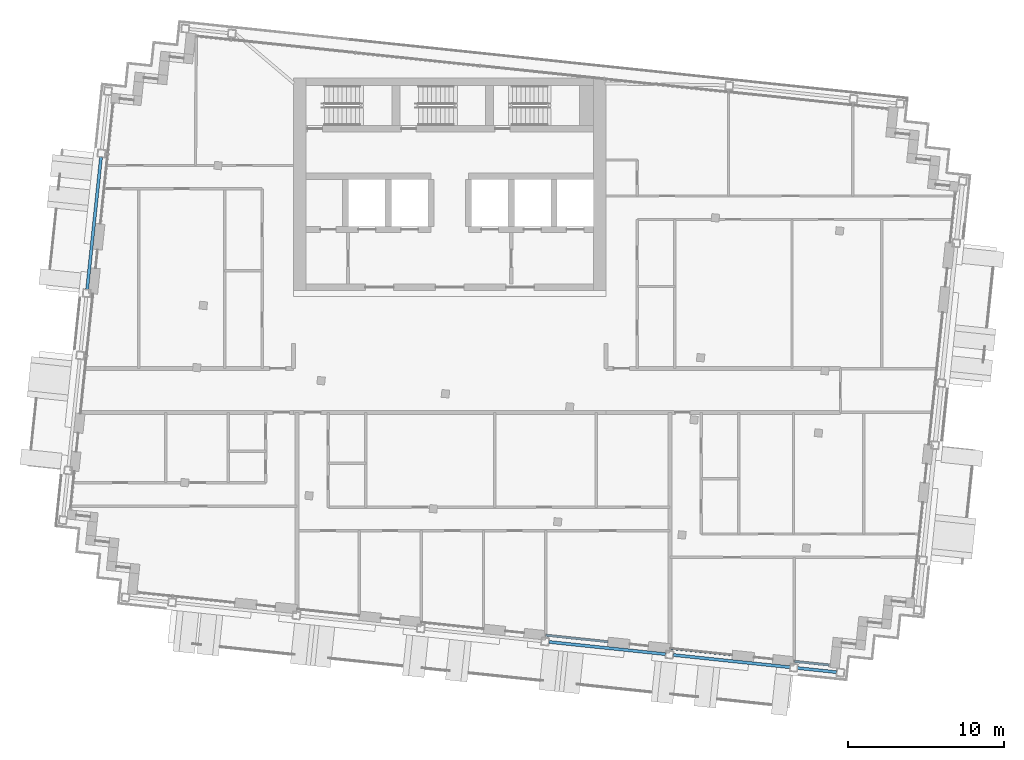
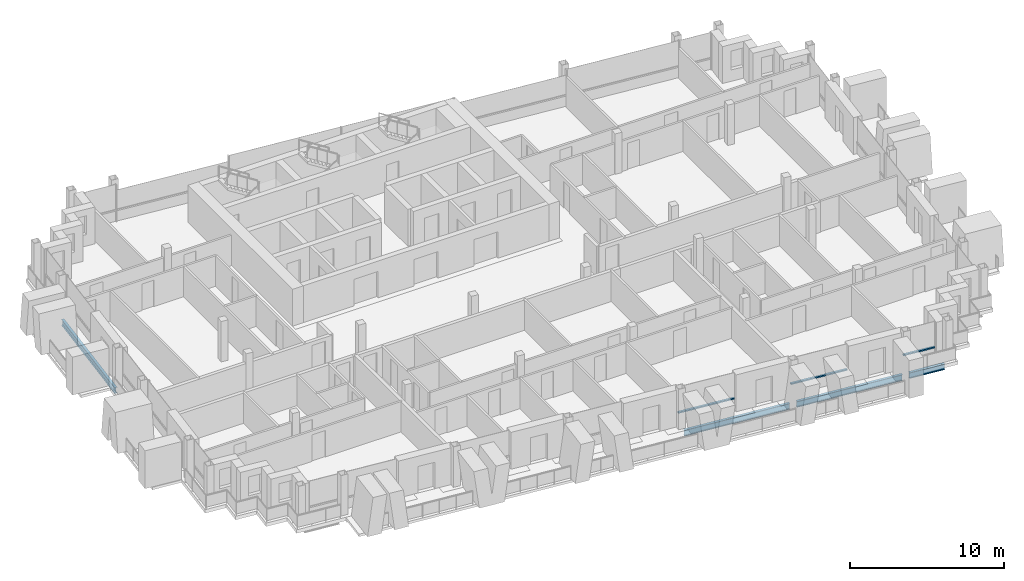
# One storey, part 3 of 16: 4 beams, 3 members, 3 elements without a shape of their own.
"""IFC4 building model written with IfcOpenShell, lengths in metres."""

from ifc_helpers import new_model, si_unit, direction, frame, origin, origin_2d, place, context, subcontext, project, spatial, rectangle, i_section, extrude, material, material_profile, profile_set, type_object, element, aggregate, save


model = new_model("IFC4")

# Units and contexts
model_context = context("Model", 3, precision=1e-05, world=origin(), true_north=direction((0.0, 1.0)))
body_context = subcontext(model_context, "Body", "Model", "MODEL_VIEW")
ifc_project = project(units=[si_unit("LENGTHUNIT", "METRE"), si_unit("AREAUNIT", "SQUARE_METRE"), si_unit("VOLUMEUNIT", "CUBIC_METRE"), si_unit("PLANEANGLEUNIT", "RADIAN"), si_unit("MASSUNIT", "GRAM", prefix="KILO")], contexts=[model_context])

# Site, building, storey
site_placement = place(None, origin())
site = spatial("IfcSite", under=ifc_project, at=site_placement, CompositionType="ELEMENT")
building_placement = place(site_placement, origin())
building = spatial("IfcBuilding", under=site, at=building_placement, Name="Vidyagriha Tower", CompositionType="ELEMENT")
storey_placement = place(building_placement, frame((0.0, 0.0, 256.300048828125)))
storey = spatial("IfcBuildingStorey", under=building, at=storey_placement, Name="L66", CompositionType="ELEMENT", Elevation=256.300048828125)

# Beams
ifc_material_1 = material(Name="Steel ASTM A992 Grade 50", Category="steel")
ifc_material_profile_1 = material_profile(ifc_material_1, i_section(OverallWidth=0.19189453125, OverallDepth=0.46240234375, WebThickness=0.010498046875, FlangeThickness=0.017578125, at=origin_2d()), Name="W18X60")
ifc_profile_set_1 = profile_set([ifc_material_profile_1], Name="Steel ASTM A992 Grade 50")
beam_type = type_object("IfcBeamType", Name="Edge beam W18X60", PredefinedType="SPANDREL", material=ifc_profile_set_1)
for number, where, z_axis, x_axis, name in (
    (1, (6.3486328125, -16.091064453125, -0.51123046875), (0.994522384662, -0.104523807841, 0.0), (0.104523807841, 0.994522384662, 0.0), "st-beam-L66-S05"),
    (2, (14.304931640625, -16.92724609375, -0.51123046875), (0.994522384662, -0.104523807841, 0.0), (0.104523807841, 0.994522384662, 0.0), "st-beam-L66-S06"),
):
    element("IfcBeam", number, at=place(storey_placement, frame(where, z_axis=z_axis, x_axis=x_axis)), inside=storey, type_object=beam_type, Name=name, PredefinedType="SPANDREL", context=body_context, shape_type="SweptSolid", body=[
        extrude(i_section(OverallWidth=0.19189453125, OverallDepth=0.46240234375, WebThickness=0.010498046875, FlangeThickness=0.017578125, at=origin_2d()), origin(), (0.0, 0.0, 1.0), 7.5),
    ])
beam_1_placement = place(storey_placement, frame((22.260986328125, -17.763427734375, -0.51123046875), z_axis=(0.994515615024, -0.104588199498, 0.0), x_axis=(0.104588199498, 0.994515615024, 0.0)))
element("IfcBeam", 3, at=beam_1_placement, inside=storey, type_object=beam_type, Name="st-beam-L66-S07", PredefinedType="SPANDREL", context=body_context, shape_type="SweptSolid", body=[
    extrude(i_section(OverallWidth=0.19189453125, OverallDepth=0.46240234375, WebThickness=0.010498046875, FlangeThickness=0.017578125, at=origin_2d()), origin(), (0.0, 0.0, 1.0), 2.5),
])
beam_2_placement = place(storey_placement, frame((-23.20458984375, 6.4716796875, -0.51123046875), z_axis=(0.104518825829, 0.994522908257, 0.0), x_axis=(-0.994522908257, 0.104518825829, 0.0)))
element("IfcBeam", 4, at=beam_2_placement, inside=storey, type_object=beam_type, Name="st-beam-L66-W11", PredefinedType="SPANDREL", context=body_context, shape_type="SweptSolid", body=[
    extrude(i_section(OverallWidth=0.19189453125, OverallDepth=0.46240234375, WebThickness=0.010498046875, FlangeThickness=0.017578125, at=origin_2d()), origin(), (0.0, 0.0, 1.0), 8.500244140625),
])

# Curtain wall, member
ifc_material_2 = material(Name="Aluminium and glass curtain wall", Category="aluminium")
curtain_wall_type = type_object("IfcCurtainWallType", Name="Dwelling skin unitised curtain wall", PredefinedType="USERDEFINED", material=ifc_material_2)
curtain_wall_1_placement = place(storey_placement, origin())
curtain_wall_1 = element("IfcCurtainWall", 5, at=curtain_wall_1_placement, inside=storey, type_object=curtain_wall_type, Name="CW1 dwelling skin", ObjectType="UNITISED", PredefinedType="USERDEFINED")
ifc_material_3 = material(Name="Aluminium black anodised", Category="aluminium")
ifc_material_profile_2 = material_profile(ifc_material_3, rectangle(XDim=0.159912109375, YDim=0.10009765625, at=origin_2d()), Name="Transom 100x160 black aluminium")
ifc_profile_set_2 = profile_set([ifc_material_profile_2], Name="Aluminium black anodised")
member_type = type_object("IfcMemberType", Name="Transom 100x160 black aluminium", PredefinedType="USERDEFINED", material=ifc_profile_set_2)
member_1_placement = place(storey_placement, frame((6.141845703125, -15.6669921875, 0.89990234375), z_axis=(0.99451982373, -0.104548171712, 0.0), x_axis=(0.104548171712, 0.99451982373, 0.0)))
member_1 = element("IfcMember", 6, at=member_1_placement, type_object=member_type, Name="CW1 transom 1.1", ObjectType="TRANSOM", PredefinedType="USERDEFINED", context=body_context, shape_type="SweptSolid", body=[
    extrude(rectangle(XDim=0.159912109375, YDim=0.10009765625, at=origin_2d()), origin(), (0.0, 0.0, 1.0), 4.000244140625),
])
aggregate(curtain_wall_1, [member_1])

curtain_wall_2_placement = place(storey_placement, origin())
curtain_wall_2 = element("IfcCurtainWall", 7, at=curtain_wall_2_placement, inside=storey, type_object=curtain_wall_type, Name="CW1 dwelling skin", ObjectType="UNITISED", PredefinedType="USERDEFINED")
member_2_placement = place(storey_placement, frame((14.09814453125, -16.50341796875, 0.89990234375), z_axis=(0.99452550138, -0.104494148666, 0.0), x_axis=(0.104494148666, 0.99452550138, 0.0)))
member_2 = element("IfcMember", 8, at=member_2_placement, type_object=member_type, Name="CW1 transom 1.1", ObjectType="TRANSOM", PredefinedType="USERDEFINED", context=body_context, shape_type="SweptSolid", body=[
    extrude(rectangle(XDim=0.159912109375, YDim=0.10009765625, at=origin_2d()), origin(), (0.0, 0.0, 1.0), 4.0),
])
aggregate(curtain_wall_2, [member_2])

curtain_wall_3_placement = place(storey_placement, origin())
curtain_wall_3 = element("IfcCurtainWall", 9, at=curtain_wall_3_placement, inside=storey, type_object=curtain_wall_type, Name="CW1 dwelling skin", ObjectType="UNITISED", PredefinedType="USERDEFINED")
member_3_placement = place(storey_placement, frame((22.05419921875, -17.339599609375, 0.89990234375), z_axis=(0.994530619876, -0.10444542177, 0.0), x_axis=(0.10444542177, 0.994530619876, 0.0)))
member_3 = element("IfcMember", 10, at=member_3_placement, type_object=member_type, Name="CW1 transom 1.1", ObjectType="TRANSOM", PredefinedType="USERDEFINED", context=body_context, shape_type="SweptSolid", body=[
    extrude(rectangle(XDim=0.159912109375, YDim=0.10009765625, at=origin_2d()), origin(), (0.0, 0.0, 1.0), 2.22998046875),
])
aggregate(curtain_wall_3, [member_3])

save(model, "model.ifc")
